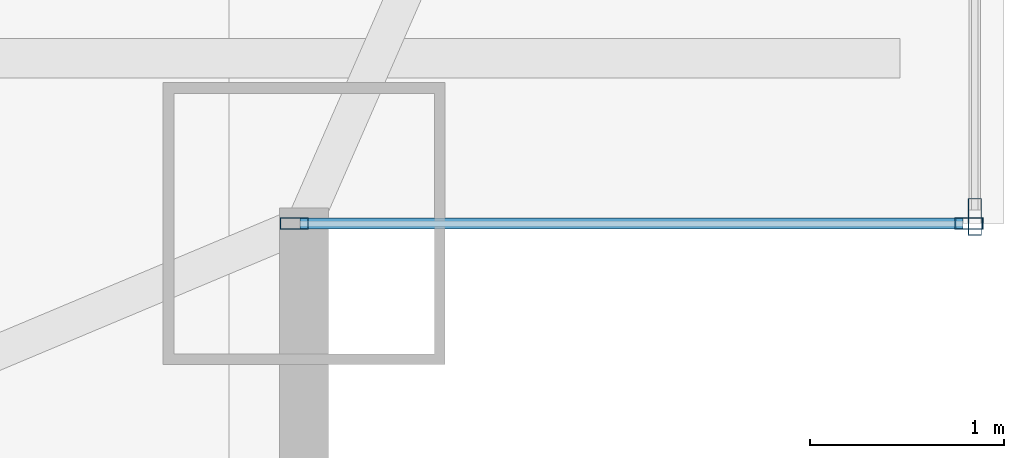
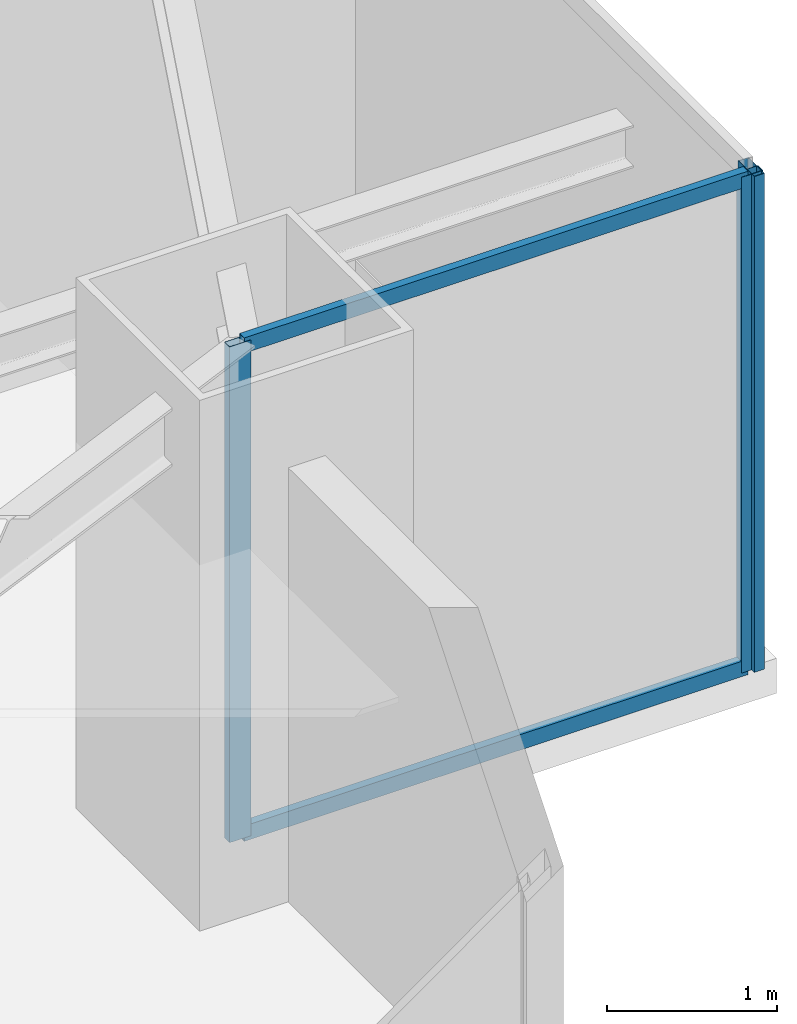
# One storey, part 16 of 36: 5 members, 2 elements without a shape of their own.
"""IFC4 building model written with IfcOpenShell, lengths in metres."""

import ifcopenshell
import ifcopenshell.guid

model = None  # the IFC model being written
_history = None  # IfcOwnerHistory: only IFC2X3 demands one
_inside = {}  # id of a spatial element -> (the spatial element, [elements in it])
_under = {}  # id of a project, library or spatial element -> (it, [spatial elements below it])
_declared = {}  # id of a project -> (the project, [libraries it declares])
_typed = {}  # id of a type object -> (the type object, [elements of that type])
_made_of = {}  # id of a material, layer set ... -> (it, [elements and type objects made of it])


def new_model(schema):
    """Start an empty IFC model of exactly this schema.

    Asked for "IFC4X3", IfcOpenShell would pick the latest addendum, in which some entities
    have other attributes; the version numbers below select the first issue.
    IFC2X3 requires an IfcOwnerHistory on every rooted entity: one is made here for all.
    """
    global model, _history
    if schema == "IFC4X3":
        model = ifcopenshell.file(schema_version=(4, 3, 0, 0))
    else:
        model = ifcopenshell.file(schema=schema)
    _inside.clear()
    _under.clear()
    _declared.clear()
    _typed.clear()
    _made_of.clear()
    _history = None
    if model.schema == "IFC2X3":
        org = make("IfcOrganization", Name="unknown")
        user = make(
            "IfcPersonAndOrganization",
            ThePerson=make("IfcPerson", FamilyName="unknown"),
            TheOrganization=org,
        )
        app = make(
            "IfcApplication",
            ApplicationDeveloper=org,
            Version="unknown",
            ApplicationFullName="unknown",
            ApplicationIdentifier="unknown",
        )
        _history = make(
            "IfcOwnerHistory",
            OwningUser=user,
            OwningApplication=app,
            ChangeAction="ADDED",
            CreationDate=0,
        )
    return model


def make(cls, **values):
    """One entity of the class cls with the attributes given. An attribute that is None is left unset."""
    return model.create_entity(
        cls, **{name: value for name, value in values.items() if value is not None}
    )


def rooted(cls, **values):
    """An entity with a GlobalId (a new one), such as an element, a storey or a relation."""
    return make(cls, GlobalId=ifcopenshell.guid.new(), OwnerHistory=_history, **values)


def si_unit(unit_type, name, prefix=None):
    """IfcSIUnit, for example si_unit("LENGTHUNIT", "METRE", prefix="MILLI")."""
    return make("IfcSIUnit", UnitType=unit_type, Prefix=prefix, Name=name)


def assignment(units):
    """IfcUnitAssignment: the units of a project."""
    return None if units is None else make("IfcUnitAssignment", Units=units)


def point(xyz):
    """IfcCartesianPoint."""
    return None if xyz is None else make("IfcCartesianPoint", Coordinates=xyz)


def direction(xyz):
    """IfcDirection."""
    return None if xyz is None else make("IfcDirection", DirectionRatios=xyz)


def frame(location, z_axis=None, x_axis=None):
    """IfcAxis2Placement3D, a coordinate frame: its origin and axes. An axis left out is left unset."""
    return make(
        "IfcAxis2Placement3D",
        Location=point(location),
        Axis=direction(z_axis),
        RefDirection=direction(x_axis),
    )


def frame_2d(location, x_axis=None):
    """IfcAxis2Placement2D, a coordinate frame in the plane: its origin and x axis."""
    return make(
        "IfcAxis2Placement2D", Location=point(location), RefDirection=direction(x_axis)
    )


def origin():
    """The frame at (0, 0, 0) with its axes left unset."""
    return frame((0.0, 0.0, 0.0))


def origin_2d():
    """The frame at (0, 0) in the plane with its x axis left unset."""
    return frame_2d((0.0, 0.0))


def place(relative_to, where):
    """IfcLocalPlacement: puts the frame where relative to a parent placement (None: the world)."""
    return make(
        "IfcLocalPlacement", PlacementRelTo=relative_to, RelativePlacement=where
    )


def context(
    kind, dimensions, precision=None, world=None, true_north=None, identifier=None
):
    """IfcGeometricRepresentationContext, for example the 3D "Model" context."""
    return make(
        "IfcGeometricRepresentationContext",
        ContextIdentifier=identifier,
        ContextType=kind,
        CoordinateSpaceDimension=dimensions,
        Precision=precision,
        WorldCoordinateSystem=world,
        TrueNorth=true_north,
    )


def subcontext(parent, identifier, kind, view, scale=None):
    """IfcGeometricRepresentationSubContext, for example "Body" below "Model"."""
    return make(
        "IfcGeometricRepresentationSubContext",
        ContextIdentifier=identifier,
        ContextType=kind,
        ParentContext=parent,
        TargetScale=scale,
        TargetView=view,
    )


def project(units=None, contexts=None):
    """IfcProject with its units and contexts."""
    return rooted(
        "IfcProject",
        Name="project",
        RepresentationContexts=contexts,
        UnitsInContext=assignment(units),
    )


def spatial(cls, under=None, at=None, **own):
    """A site, building, storey or space (cls), placed at a placement, below another one or the project."""
    s = rooted(cls, ObjectPlacement=at, **own)
    if under is not None:
        _under.setdefault(under.id(), (under, []))[1].append(s)
    return s


def profile(cls, at=None, kind="AREA", **sizes):
    """A parametric profile (cls). Its sizes go by their IFC names, for example OverallWidth=200.0."""
    return make(cls, ProfileType=kind, Position=at, **sizes)


def hollow_rectangle(**sizes):
    """IfcRectangleHollowProfileDef."""
    return profile("IfcRectangleHollowProfileDef", **sizes)


def extrude(swept, where, along, depth):
    """IfcExtrudedAreaSolid: the profile swept, set in the frame where, extruded along a direction by depth."""
    return make(
        "IfcExtrudedAreaSolid",
        SweptArea=swept,
        Position=where,
        ExtrudedDirection=direction(along),
        Depth=depth,
    )


def shape(context_of_items, identifier, shape_type, items):
    """IfcShapeRepresentation: the items that make up one representation, for example the "Body"."""
    return make(
        "IfcShapeRepresentation",
        ContextOfItems=context_of_items,
        RepresentationIdentifier=identifier,
        RepresentationType=shape_type,
        Items=items,
    )


def source(mapping_origin, context_of_items, identifier, shape_type, items):
    """IfcRepresentationMap: a shape defined once, which mapped items show again and again."""
    return make(
        "IfcRepresentationMap",
        MappingOrigin=mapping_origin,
        MappedRepresentation=shape(context_of_items, identifier, shape_type, items),
    )


def transform(
    local_origin,
    x_axis=None,
    y_axis=None,
    z_axis=None,
    scale=None,
    scale2=None,
    scale3=None,
    uniform=True,
):
    """IfcCartesianTransformationOperator3D, or its non-uniform kind. x_axis, y_axis, z_axis: its Axis1, 2, 3."""
    if uniform:
        return make(
            "IfcCartesianTransformationOperator3D",
            Axis1=direction(x_axis),
            Axis2=direction(y_axis),
            LocalOrigin=point(local_origin),
            Scale=scale,
            Axis3=direction(z_axis),
        )
    return make(
        "IfcCartesianTransformationOperator3DnonUniform",
        Axis1=direction(x_axis),
        Axis2=direction(y_axis),
        LocalOrigin=point(local_origin),
        Scale=scale,
        Axis3=direction(z_axis),
        Scale2=scale2,
        Scale3=scale3,
    )


def mapped(mapping_source, mapping_target):
    """IfcMappedItem: shows the shape of a source again, moved by a transform."""
    return make(
        "IfcMappedItem", MappingSource=mapping_source, MappingTarget=mapping_target
    )


def material(Name=None, Category=None):
    """IfcMaterial."""
    return make("IfcMaterial", Name=Name, Category=Category)


def layer(
    of_material, thickness, ventilated=None, Name=None, Category=None, Priority=None
):
    """IfcMaterialLayer: one layer of a wall or slab, of a material (None: an air gap)."""
    return make(
        "IfcMaterialLayer",
        Material=of_material,
        LayerThickness=thickness,
        IsVentilated=ventilated,
        Name=Name,
        Category=Category,
        Priority=Priority,
    )


def layer_set(layers, Name=None):
    """IfcMaterialLayerSet."""
    return make("IfcMaterialLayerSet", MaterialLayers=layers, LayerSetName=Name)


def material_profile(
    of_material, cross_section, Name=None, Category=None, Priority=None
):
    """IfcMaterialProfile: a cross section and its material."""
    return make(
        "IfcMaterialProfile",
        Name=Name,
        Material=of_material,
        Profile=cross_section,
        Priority=Priority,
        Category=Category,
    )


def profile_set(profiles, Name=None, composite=None):
    """IfcMaterialProfileSet."""
    return make(
        "IfcMaterialProfileSet",
        Name=Name,
        MaterialProfiles=profiles,
        CompositeProfile=composite,
    )


def made_of(thing, what):
    """Note that an element or type object is made of a material, layer set ...; save() writes the relation."""
    if what is not None:
        _made_of.setdefault(what.id(), (what, []))[1].append(thing)
    return thing


def type_object(cls, material=None, **own):
    """A type object (cls), such as IfcWallType, which elements share."""
    return made_of(rooted(cls, **own), material)


def type_shapes(of_type, sources):
    """Give a type object the sources (RepresentationMaps) that its elements show as mapped items."""
    of_type.RepresentationMaps = sources


def element(
    cls,
    number,
    at=None,
    inside=None,
    cuts=None,
    type_object=None,
    material=None,
    context=None,
    identifier="Body",
    shape_type=None,
    held_by="IfcProductDefinitionShape",
    body=None,
    shapes=None,
    **own,
):
    """One element of the class cls, such as IfcWall. Its Tag is "e" and its number.

    at: its placement. inside: the storey or other place that contains it. cuts: it is an
    opening in that element (IfcRelVoidsElement). A single representation is given by context,
    identifier, shape_type and body (its items); several are given by shapes. held_by: the class
    of the entity that holds the representations. save() writes the other relations.
    """
    e = rooted(cls, Tag="e%d" % number, ObjectPlacement=at, **own)
    if body is not None:
        shapes = [shape(context, identifier, shape_type, body)]
    if shapes is not None:
        e.Representation = make(held_by, Representations=shapes)
    if inside is not None:
        _inside.setdefault(inside.id(), (inside, []))[1].append(e)
    if cuts is not None:
        rooted(
            "IfcRelVoidsElement", RelatingBuildingElement=cuts, RelatedOpeningElement=e
        )
    if type_object is not None:
        _typed.setdefault(type_object.id(), (type_object, []))[1].append(e)
    return made_of(e, material)


def aggregate(whole, parts):
    """IfcRelAggregates: a whole, such as a stair, and the parts it consists of."""
    return rooted("IfcRelAggregates", RelatingObject=whole, RelatedObjects=parts)


def save(model, path):
    """Write the relations noted so far, then the file.

    IfcRelAggregates (storeys below a building ...), IfcRelContainedInSpatialStructure (elements
    in a storey), IfcRelDefinesByType, IfcRelAssociatesMaterial and IfcRelDeclares: one each for
    every whole, place, type object, material and project.
    """
    for whole, parts in _under.values():
        aggregate(whole, parts)
    for where, things in _inside.values():
        rooted(
            "IfcRelContainedInSpatialStructure",
            RelatedElements=things,
            RelatingStructure=where,
        )
    for kind, things in _typed.values():
        rooted("IfcRelDefinesByType", RelatedObjects=things, RelatingType=kind)
    for what, things in _made_of.values():
        rooted("IfcRelAssociatesMaterial", RelatedObjects=things, RelatingMaterial=what)
    for by, libraries in _declared.values():
        rooted("IfcRelDeclares", RelatingContext=by, RelatedDefinitions=libraries)
    model.write(path)


model = new_model("IFC4")

# Units and contexts
model_context = context("Model", 3, precision=1e-05, world=origin(), true_north=direction((0.0, 1.0)))
body_context = subcontext(model_context, "Body", "Model", "MODEL_VIEW")
ifc_project = project(units=[si_unit("LENGTHUNIT", "METRE"), si_unit("AREAUNIT", "SQUARE_METRE"), si_unit("VOLUMEUNIT", "CUBIC_METRE"), si_unit("PLANEANGLEUNIT", "RADIAN"), si_unit("MASSUNIT", "GRAM", prefix="KILO")], contexts=[model_context])

# Site, building, storey
site_placement = place(None, origin())
site = spatial("IfcSite", under=ifc_project, at=site_placement, CompositionType="ELEMENT")
building_placement = place(site_placement, origin())
building = spatial("IfcBuilding", under=site, at=building_placement, Name="Varnel Quay Broadcast Tower", CompositionType="ELEMENT")
storey_placement = place(building_placement, frame((0.0, 0.0, 114.39990234375)))
storey = spatial("IfcBuildingStorey", under=building, at=storey_placement, Name="L27", CompositionType="ELEMENT", Elevation=114.39990234375)

# Curtain wall, members
ifc_material = material(Name="Anodised Bronze Aluminium 6063-T6", Category="aluminium")
ifc_layer_1 = layer(ifc_material, 0.18994140625, Name="Anodised Bronze Aluminium 6063-T6")
ifc_layer_set_1 = layer_set([ifc_layer_1], Name="Anodised Bronze Aluminium 6063-T6")
curtain_wall_type_1 = type_object("IfcCurtainWallType", Name="CW_NotchCorner", PredefinedType="NOTDEFINED", material=ifc_layer_set_1)
curtain_wall_1_placement = place(storey_placement, origin())
curtain_wall_1 = element("IfcCurtainWall", 1, at=curtain_wall_1_placement, inside=storey, type_object=curtain_wall_type_1, Name="L27 SE Notch Curtain Wall", PredefinedType="NOTDEFINED")
ifc_material_profile_1 = material_profile(ifc_material, hollow_rectangle(XDim=0.054931640625, YDim=0.110107421875, WallThickness=0.0029296875, at=origin_2d()), Name="ALU55X110X3")
ifc_profile_set_1 = profile_set([ifc_material_profile_1], Name="Anodised Bronze Aluminium 6063-T6")
member_type_1 = type_object("IfcMemberType", Name="Tran_CWS-04", PredefinedType="USERDEFINED", material=ifc_profile_set_1)
shared_shape_1 = source(origin(), body_context, "Body", "SweptSolid", [
    extrude(hollow_rectangle(XDim=0.054931640625, YDim=0.110107421875, WallThickness=0.0029296875, at=origin_2d()), origin(), (0.0, 0.0, 1.0), 3.41015625),
])
type_shapes(member_type_1, [shared_shape_1])
member_1_placement = place(storey_placement, frame((59.8798828125, 7.800048828125, 0.027587890625), z_axis=(1.0, 0.0, 0.0), x_axis=(0.0, 1.0, 0.0)))
member_1 = element("IfcMember", 2, at=member_1_placement, type_object=member_type_1, Name="CWS-04 transom 1.1", ObjectType="TRANSOM", PredefinedType="USERDEFINED", context=body_context, shape_type="MappedRepresentation", body=[
    mapped(shared_shape_1, transform((0.0, 0.0, 0.0), x_axis=(1.0, 0.0, 0.0), y_axis=(0.0, 1.0, 0.0), z_axis=(0.0, 0.0, 1.0), scale=1.0)),
])
member_2_placement = place(storey_placement, frame((59.8798828125, 7.800048828125, 3.522705078125), z_axis=(1.0, 0.0, 0.0), x_axis=(0.0, 1.0, 0.0)))
member_2 = element("IfcMember", 3, at=member_2_placement, type_object=member_type_1, Name="CWS-04 transom 1.2", ObjectType="TRANSOM", PredefinedType="USERDEFINED", context=body_context, shape_type="MappedRepresentation", body=[
    mapped(shared_shape_1, transform((0.0, 0.0, 0.0), x_axis=(1.0, 0.0, 0.0), y_axis=(0.0, 1.0, 0.0), z_axis=(0.0, 0.0, 1.0), scale=1.0)),
])

# Curtain wall, member
ifc_layer_2 = layer(ifc_material, 0.18994140625, Name="Anodised Bronze Aluminium 6063-T6")
ifc_layer_set_2 = layer_set([ifc_layer_2], Name="Anodised Bronze Aluminium 6063-T6")
curtain_wall_type_2 = type_object("IfcCurtainWallType", Name="CW_LowerTower", PredefinedType="NOTDEFINED", material=ifc_layer_set_2)
curtain_wall_2_placement = place(storey_placement, origin())
curtain_wall_2 = element("IfcCurtainWall", 4, at=curtain_wall_2_placement, inside=storey, type_object=curtain_wall_type_2, Name="L27 East Unitised Curtain Wall", PredefinedType="NOTDEFINED")
ifc_material_profile_2 = material_profile(ifc_material, hollow_rectangle(XDim=0.070068359375, YDim=0.18994140625, WallThickness=0.00390625, at=origin_2d()), Name="ALU70X190X4")
ifc_profile_set_2 = profile_set([ifc_material_profile_2], Name="Anodised Bronze Aluminium 6063-T6")
member_type_2 = type_object("IfcMemberType", Name="Mull_CWS-02", PredefinedType="MULLION", material=ifc_profile_set_2)
shared_shape_2 = source(origin(), body_context, "Body", "SweptSolid", [
    extrude(hollow_rectangle(XDim=0.070068359375, YDim=0.18994140625, WallThickness=0.00390625, at=origin_2d()), origin(), (0.0, 0.0, 1.0), 3.550048828125),
])
type_shapes(member_type_2, [shared_shape_2])
member_3_placement = place(storey_placement, frame((63.35009765625, 7.8349609375, 0.0), z_axis=(0.0, 0.0, 1.0), x_axis=(-1.0, 0.0, 0.0)))
member_3 = element("IfcMember", 5, at=member_3_placement, type_object=member_type_2, Name="CWS-02 mullion 1", PredefinedType="MULLION", context=body_context, shape_type="MappedRepresentation", body=[
    mapped(shared_shape_2, transform((0.0, 0.0, 0.0), x_axis=(1.0, 0.0, 0.0), y_axis=(0.0, 1.0, 0.0), z_axis=(0.0, 0.0, 1.0), scale=1.0)),
])
aggregate(curtain_wall_2, [member_3])

# Member
ifc_material_profile_3 = material_profile(ifc_material, hollow_rectangle(XDim=0.06005859375, YDim=0.14501953125, WallThickness=0.00341796875, at=origin_2d()), Name="ALU60X145X3.5")
ifc_profile_set_3 = profile_set([ifc_material_profile_3], Name="Anodised Bronze Aluminium 6063-T6")
member_type_3 = type_object("IfcMemberType", Name="Mull_CWS-04", PredefinedType="MULLION", material=ifc_profile_set_3)
shared_shape_3 = source(origin(), body_context, "Body", "SweptSolid", [
    extrude(hollow_rectangle(XDim=0.06005859375, YDim=0.14501953125, WallThickness=0.00341796875, at=origin_2d()), origin(), (0.0, 0.0, 1.0), 3.550048828125),
])
type_shapes(member_type_3, [shared_shape_3])
member_4_placement = place(storey_placement, frame((59.85009765625, 7.800048828125, 0.0), z_axis=(0.0, 0.0, 1.0), x_axis=(0.0, 1.0, 0.0)))
member_4 = element("IfcMember", 6, at=member_4_placement, type_object=member_type_3, Name="CWS-04 mullion 1", PredefinedType="MULLION", context=body_context, shape_type="MappedRepresentation", body=[
    mapped(shared_shape_3, transform((0.0, 0.0, 0.0), x_axis=(1.0, 0.0, 0.0), y_axis=(0.0, 1.0, 0.0), z_axis=(0.0, 0.0, 1.0), scale=1.0)),
])

member_5_placement = place(storey_placement, frame((63.320068359375, 7.800048828125, 0.0), z_axis=(0.0, 0.0, 1.0), x_axis=(0.0, 1.0, 0.0)))
member_5 = element("IfcMember", 7, at=member_5_placement, type_object=member_type_3, Name="CWS-04 mullion 2", PredefinedType="MULLION", context=body_context, shape_type="MappedRepresentation", body=[
    mapped(shared_shape_3, transform((0.0, 0.0, 0.0), x_axis=(1.0, 0.0, 0.0), y_axis=(0.0, 1.0, 0.0), z_axis=(0.0, 0.0, 1.0), scale=1.0)),
])

aggregate(curtain_wall_1, [member_4, member_5, member_1, member_2])

save(model, "model.ifc")
